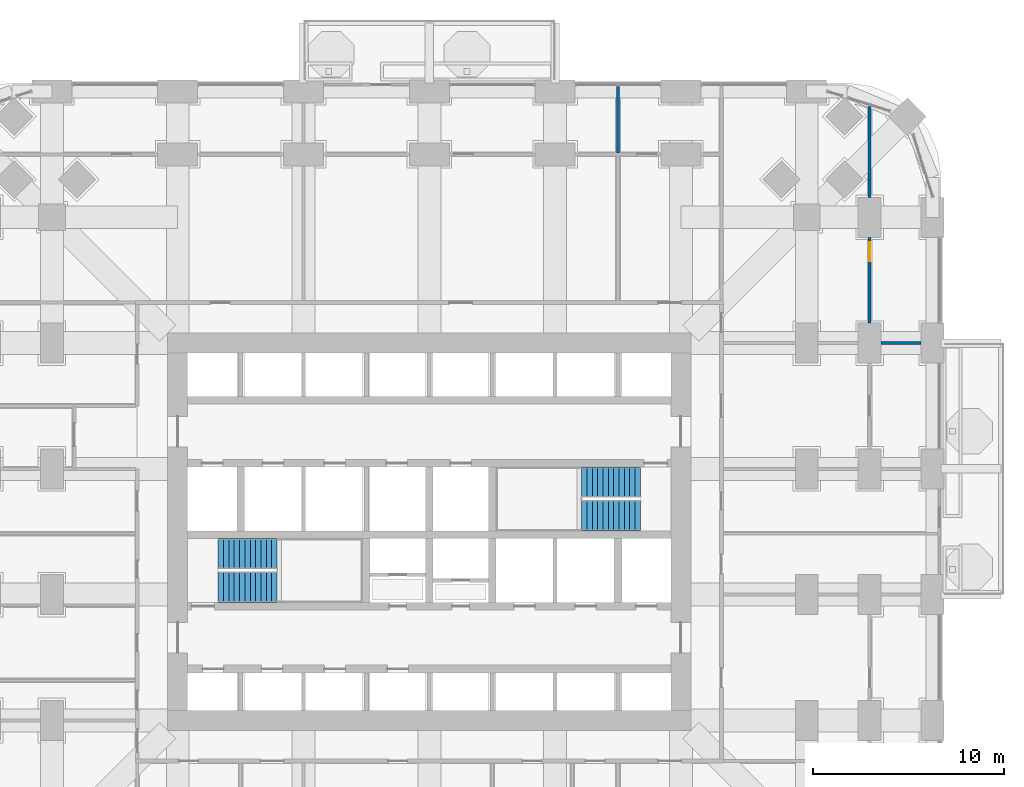
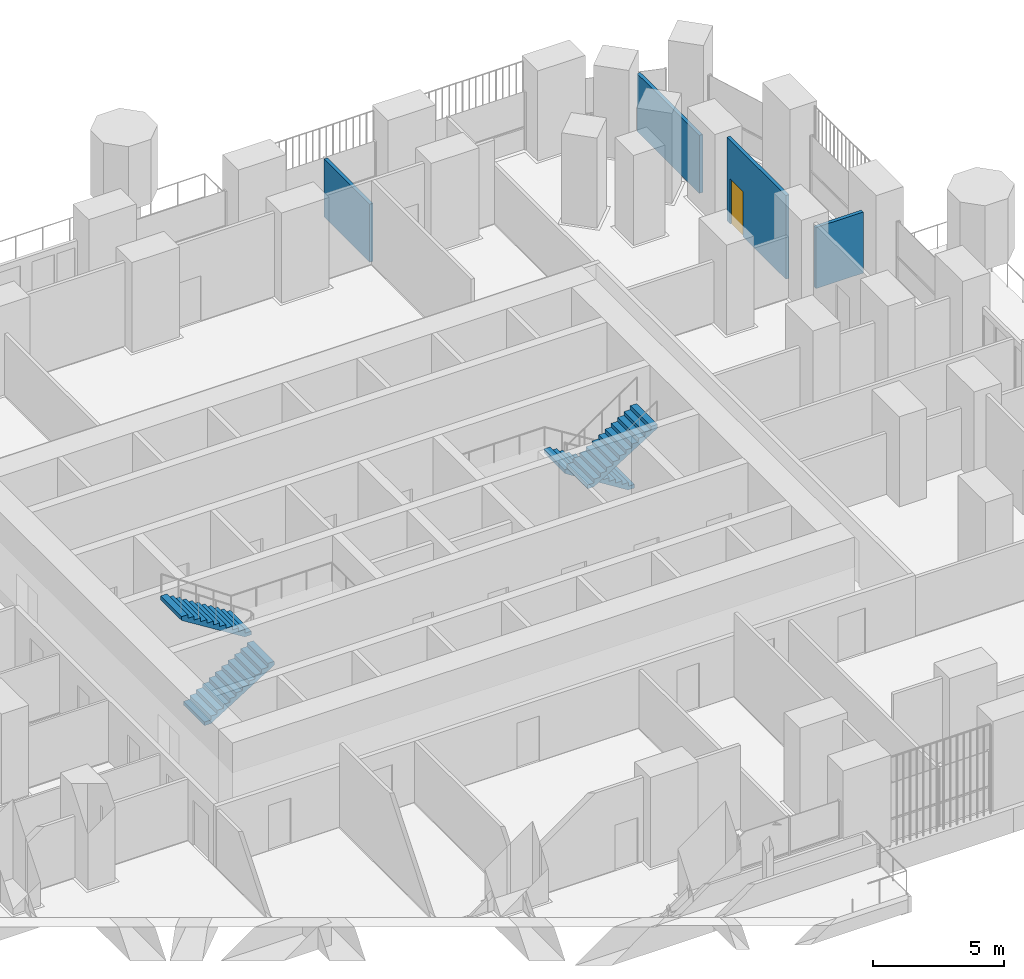
# One storey, part 21 of 26: 4 stair flights, 4 walls, 1 door, 1 opening, 2 elements without a shape of their own.
"""IFC4 building model written with IfcOpenShell, lengths in metres."""

from ifc_helpers import new_model, si_unit, direction, frame, frame_2d, origin, place, context, subcontext, project, spatial, polyline, rectangle, outline, extrude, material, layer, layer_set, type_object, element, fill, aggregate, save


model = new_model("IFC4")

# Units and contexts
model_context = context("Model", 3, precision=1e-05, world=origin(), true_north=direction((0.0, 1.0)))
body_context = subcontext(model_context, "Body", "Model", "MODEL_VIEW")
ifc_project = project(units=[si_unit("LENGTHUNIT", "METRE"), si_unit("AREAUNIT", "SQUARE_METRE"), si_unit("VOLUMEUNIT", "CUBIC_METRE"), si_unit("PLANEANGLEUNIT", "RADIAN"), si_unit("MASSUNIT", "GRAM", prefix="KILO")], contexts=[model_context])

# Site, building, storey
site_placement = place(None, origin())
site = spatial("IfcSite", under=ifc_project, at=site_placement, CompositionType="ELEMENT")
building_placement = place(site_placement, origin())
building = spatial("IfcBuilding", under=site, at=building_placement, Name="Cobogo Forest Laboratory Tower", CompositionType="ELEMENT")
storey_placement = place(building_placement, frame((0.0, 0.0, 42.300048828125)))
storey = spatial("IfcBuildingStorey", under=building, at=storey_placement, Name="L09", CompositionType="ELEMENT", Elevation=42.300048828125)

# Wall, opening, door
ifc_material_1 = material(Name="Gypsum board on steel studs", Category="steel")
ifc_layer = layer(ifc_material_1, 0.14990234375)
ifc_layer_set = layer_set([ifc_layer], Name="PT1 laboratory partition 150")
wall_type = type_object("IfcWallType", Name="PT1 laboratory partition 150", PredefinedType="PARTITIONING", material=ifc_layer_set)
wall_1_placement = place(storey_placement, frame((49.5, 34.050048828125, 0.0), z_axis=(0.0, 0.0, 1.0), x_axis=(0.0, 1.0, 0.0)))
wall_1 = element("IfcWall", 1, at=wall_1_placement, inside=storey, type_object=wall_type, Name="Partition STRIP-E-4 L09", PredefinedType="PARTITIONING", context=body_context, shape_type="SweptSolid", body=[
    extrude(rectangle(XDim=4.5, YDim=0.14990234375, at=frame_2d((2.25, 0.0))), origin(), (0.0, 0.0, 1.0), 3.89990234375),
])
opening_placement = place(wall_1_placement, frame((3.25, 0.0, 0.0)))
opening = element("IfcOpeningElement", 2, at=opening_placement, cuts=wall_1, Name="Opening L09-D44", PredefinedType="OPENING", context=body_context, shape_type="SweptSolid", body=[
    extrude(rectangle(XDim=1.0, YDim=2.10009765625, at=frame_2d((0.5, 1.050048828125))), frame((0.0, 0.0849609375, 0.0), z_axis=(0.0, -1.0, 0.0), x_axis=(1.0, 0.0, 0.0)), (0.0, 0.0, 1.0), 0.169921875),
])
ifc_material_2 = material(Name="Timber fire door", Category="wood")
door_type = type_object("IfcDoorType", Name="FD2 fire door 1000 EI2 30", OperationType="SINGLE_SWING_LEFT", PredefinedType="DOOR", material=ifc_material_2)
door_placement = place(opening_placement, origin())
door = element("IfcDoor", 3, at=door_placement, inside=storey, type_object=door_type, Name="Door L09-E3W", OperationType="SINGLE_SWING_RIGHT", OverallHeight=2.10009765625, OverallWidth=1.0, PredefinedType="DOOR", context=body_context, shape_type="SweptSolid", body=[
    extrude(rectangle(XDim=1.0, YDim=2.10009765625, at=frame_2d((0.5, 1.050048828125))), frame((0.0, 0.02490234375, 0.0), z_axis=(0.0, -1.0, 0.0), x_axis=(1.0, 0.0, 0.0)), (0.0, 0.0, 1.0), 0.050048828125),
])
fill(opening, door)

# Walls
wall_2_placement = place(storey_placement, frame((49.5, 40.64990234375, 0.0), z_axis=(0.0, 0.0, 1.0), x_axis=(0.0, 1.0, 0.0)))
element("IfcWall", 4, at=wall_2_placement, inside=storey, type_object=wall_type, Name="Partition STRIP-E-5 L09", PredefinedType="PARTITIONING", context=body_context, shape_type="SweptSolid", body=[
    extrude(rectangle(XDim=4.774169921875, YDim=0.14990234375, at=frame_2d((2.38720703125, 0.0))), origin(), (0.0, 0.0, 1.0), 2.699951171875),
])
wall_3_placement = place(storey_placement, frame((52.199951171875, 33.0, 0.0), z_axis=(0.0, 0.0, 1.0), x_axis=(-1.0, 0.0, 0.0)))
element("IfcWall", 5, at=wall_3_placement, inside=storey, type_object=wall_type, Name="Partition CUT-E33-1 L09", PredefinedType="PARTITIONING", context=body_context, shape_type="SweptSolid", body=[
    extrude(rectangle(XDim=2.099853515625, YDim=0.14990234375, at=frame_2d((1.0498046875, 0.0))), origin(), (0.0, 0.0, 1.0), 2.849853515625),
])
wall_4_placement = place(storey_placement, frame((36.300048828125, 46.469970703125, 0.0), z_axis=(0.0, 0.0, 1.0), x_axis=(0.0, -1.0, 0.0)))
element("IfcWall", 6, at=wall_4_placement, inside=storey, type_object=wall_type, Name="Partition CUT-N36.3a-1 L09", PredefinedType="PARTITIONING", context=body_context, shape_type="SweptSolid", body=[
    extrude(rectangle(XDim=3.494873046875, YDim=0.14990234375, at=frame_2d((1.74755859375, 0.0))), origin(), (0.0, 0.0, 1.0), 2.699951171875),
])

# Stair, stair flights
ifc_material_3 = material(Name="Precast concrete HA-40 (C40/50)", Category="concrete")
stair_type = type_object("IfcStairType", Name="ST24 exit stair 24 risers", PredefinedType="HALF_TURN_STAIR", material=ifc_material_3)
stair_1_placement = place(storey_placement, origin())
stair_1 = element("IfcStair", 7, at=stair_1_placement, inside=storey, type_object=stair_type, Name="Stair 1 L09 to L10", PredefinedType="HALF_TURN_STAIR")
stair_flight_type = type_object("IfcStairFlightType", Name="ST stair flight 280 going", PredefinedType="STRAIGHT", material=ifc_material_3)
stair_flight_1_placement = place(storey_placement, frame((15.324951171875, 20.199951171875, 0.0), z_axis=(0.0, 0.0, 1.0), x_axis=(1.0, 0.0, 0.0)))
stair_flight_1 = element("IfcStairFlight", 8, at=stair_flight_1_placement, type_object=stair_flight_type, Name="ST1 flight 1", NumberOfRisers=12, NumberOfTreads=11, PredefinedType="STRAIGHT", RiserHeight=0.175, TreadLength=0.28, context=body_context, shape_type="SweptSolid", body=[
    extrude(outline(polyline([(0.0, 0.0), (0.0, 0.175048828125), (0.280029296875, 0.175048828125), (0.280029296875, 0.35009765625), (0.56005859375, 0.35009765625), (0.56005859375, 0.52490234375), (0.840087890625, 0.52490234375), (0.840087890625, 0.699951171875), (1.1201171875, 0.699951171875), (1.1201171875, 0.875), (1.39990234375, 0.875), (1.39990234375, 1.050048828125), (1.679931640625, 1.050048828125), (1.679931640625, 1.22509765625), (1.9599609375, 1.22509765625), (1.9599609375, 1.39990234375), (2.239990234375, 1.39990234375), (2.239990234375, 1.574951171875), (2.52001953125, 1.574951171875), (2.52001953125, 1.75), (2.800048828125, 1.75), (2.800048828125, 1.925048828125), (3.080078125, 1.925048828125), (3.080078125, 2.10009765625), (3.080078125, 1.748291015625), (0.28271484375, 0.0), (0.0, 0.0)])), frame((0.0, 0.800048828125, 0.0), z_axis=(0.0, -1.0, 0.0), x_axis=(1.0, 0.0, 0.0)), (0.0, 0.0, 1.0), 1.60009765625),
])
stair_flight_2_placement = place(storey_placement, frame((18.405029296875, 21.949951171875, 2.099853515625), z_axis=(0.0, 0.0, 1.0), x_axis=(-1.0, 0.0, 0.0)))
stair_flight_2 = element("IfcStairFlight", 9, at=stair_flight_2_placement, type_object=stair_flight_type, Name="ST1 flight 2", NumberOfRisers=12, NumberOfTreads=11, PredefinedType="STRAIGHT", RiserHeight=0.175, TreadLength=0.28, context=body_context, shape_type="SweptSolid", body=[
    extrude(outline(polyline([(0.0, 0.0), (0.0, 0.175048828125), (0.280029296875, 0.175048828125), (0.280029296875, 0.35009765625), (0.56005859375, 0.35009765625), (0.56005859375, 0.52490234375), (0.840087890625, 0.52490234375), (0.840087890625, 0.699951171875), (1.1201171875, 0.699951171875), (1.1201171875, 0.875), (1.39990234375, 0.875), (1.39990234375, 1.050048828125), (1.679931640625, 1.050048828125), (1.679931640625, 1.22509765625), (1.9599609375, 1.22509765625), (1.9599609375, 1.39990234375), (2.239990234375, 1.39990234375), (2.239990234375, 1.574951171875), (2.52001953125, 1.574951171875), (2.52001953125, 1.75), (2.800048828125, 1.75), (2.800048828125, 1.925048828125), (3.080078125, 1.925048828125), (3.080078125, 2.10009765625), (3.080078125, 1.748291015625), (0.28271484375, 0.0), (0.0, 0.0)])), frame((0.0, 0.800048828125, 0.0), z_axis=(0.0, -1.0, 0.0), x_axis=(1.0, 0.0, 0.0)), (0.0, 0.0, 1.0), 1.60009765625),
])
aggregate(stair_1, [stair_flight_1, stair_flight_2])

stair_2_placement = place(storey_placement, origin())
stair_2 = element("IfcStair", 10, at=stair_2_placement, inside=storey, type_object=stair_type, Name="Stair 2 L09 to L10", PredefinedType="HALF_TURN_STAIR")
stair_flight_3_placement = place(storey_placement, frame((37.47509765625, 25.699951171875, 0.0), z_axis=(0.0, 0.0, 1.0), x_axis=(-1.0, 0.0, 0.0)))
stair_flight_3 = element("IfcStairFlight", 11, at=stair_flight_3_placement, type_object=stair_flight_type, Name="ST2 flight 1", NumberOfRisers=12, NumberOfTreads=11, PredefinedType="STRAIGHT", RiserHeight=0.175, TreadLength=0.28, context=body_context, shape_type="SweptSolid", body=[
    extrude(outline(polyline([(0.0, 0.0), (0.0, 0.175048828125), (0.280029296875, 0.175048828125), (0.280029296875, 0.35009765625), (0.56005859375, 0.35009765625), (0.56005859375, 0.52490234375), (0.840087890625, 0.52490234375), (0.840087890625, 0.699951171875), (1.1201171875, 0.699951171875), (1.1201171875, 0.875), (1.39990234375, 0.875), (1.39990234375, 1.050048828125), (1.679931640625, 1.050048828125), (1.679931640625, 1.22509765625), (1.9599609375, 1.22509765625), (1.9599609375, 1.39990234375), (2.239990234375, 1.39990234375), (2.239990234375, 1.574951171875), (2.52001953125, 1.574951171875), (2.52001953125, 1.75), (2.800048828125, 1.75), (2.800048828125, 1.925048828125), (3.080078125, 1.925048828125), (3.080078125, 2.10009765625), (3.080078125, 1.748291015625), (0.28271484375, 0.0), (0.0, 0.0)])), frame((0.0, 0.800048828125, 0.0), z_axis=(0.0, -1.0, 0.0), x_axis=(1.0, 0.0, 0.0)), (0.0, 0.0, 1.0), 1.60009765625),
])
stair_flight_4_placement = place(storey_placement, frame((34.39501953125, 23.949951171875, 2.099853515625), z_axis=(0.0, 0.0, 1.0), x_axis=(1.0, 0.0, 0.0)))
stair_flight_4 = element("IfcStairFlight", 12, at=stair_flight_4_placement, type_object=stair_flight_type, Name="ST2 flight 2", NumberOfRisers=12, NumberOfTreads=11, PredefinedType="STRAIGHT", RiserHeight=0.175, TreadLength=0.28, context=body_context, shape_type="SweptSolid", body=[
    extrude(outline(polyline([(0.0, 0.0), (0.0, 0.175048828125), (0.280029296875, 0.175048828125), (0.280029296875, 0.35009765625), (0.56005859375, 0.35009765625), (0.56005859375, 0.52490234375), (0.840087890625, 0.52490234375), (0.840087890625, 0.699951171875), (1.1201171875, 0.699951171875), (1.1201171875, 0.875), (1.39990234375, 0.875), (1.39990234375, 1.050048828125), (1.679931640625, 1.050048828125), (1.679931640625, 1.22509765625), (1.9599609375, 1.22509765625), (1.9599609375, 1.39990234375), (2.239990234375, 1.39990234375), (2.239990234375, 1.574951171875), (2.52001953125, 1.574951171875), (2.52001953125, 1.75), (2.800048828125, 1.75), (2.800048828125, 1.925048828125), (3.080078125, 1.925048828125), (3.080078125, 2.10009765625), (3.080078125, 1.748291015625), (0.28271484375, 0.0), (0.0, 0.0)])), frame((0.0, 0.800048828125, 0.0), z_axis=(0.0, -1.0, 0.0), x_axis=(1.0, 0.0, 0.0)), (0.0, 0.0, 1.0), 1.60009765625),
])
aggregate(stair_2, [stair_flight_3, stair_flight_4])

save(model, "model.ifc")
